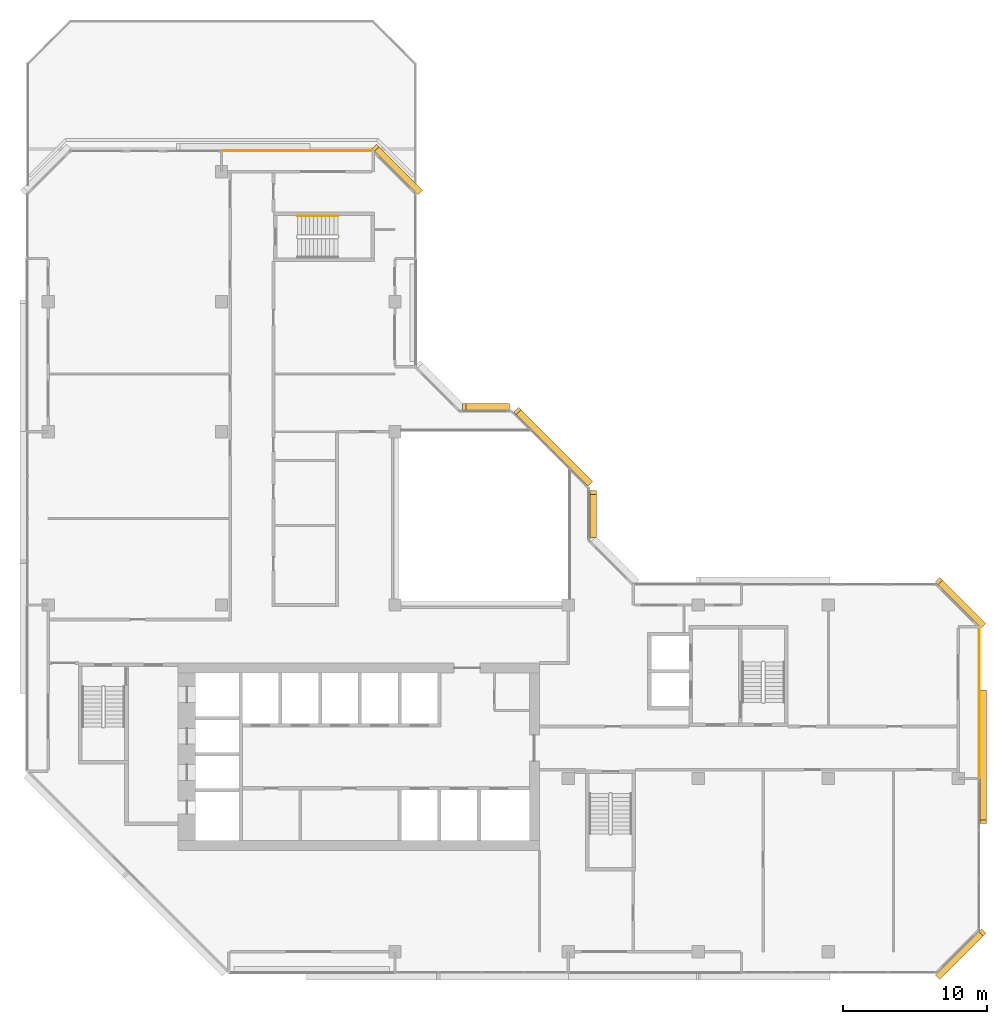
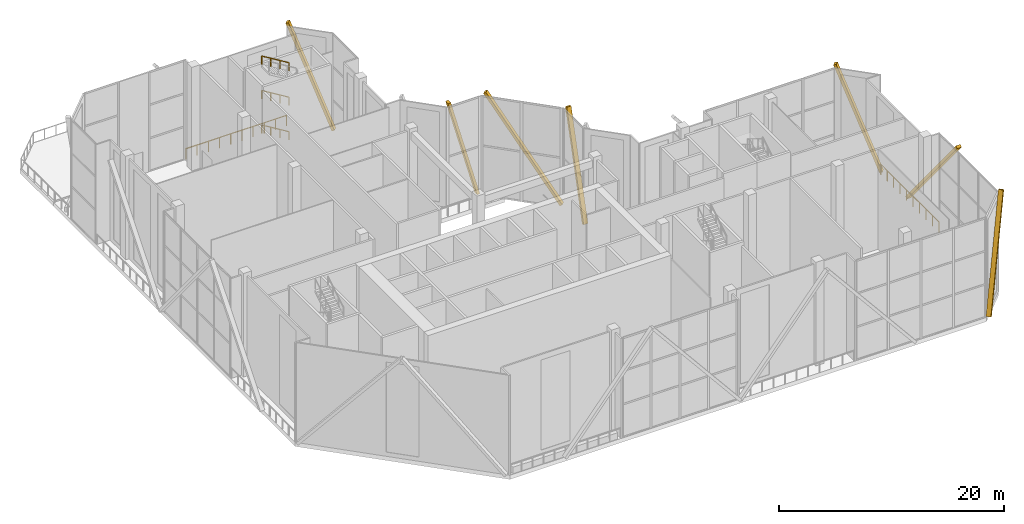
# One storey, part 18 of 18: 7 coverings, 5 railings.
"""IFC4 building model written with IfcOpenShell, lengths in metres."""

from ifc_helpers import new_model, si_unit, direction, frame, origin, origin_2d, place, context, subcontext, project, spatial, rectangle, extrude, material, material_profile, profile_set, type_object, element, save


model = new_model("IFC4")

# Units and contexts
model_context = context("Model", 3, precision=1e-05, world=origin(), true_north=direction((0.0, 1.0)))
body_context = subcontext(model_context, "Body", "Model", "MODEL_VIEW")
ifc_project = project(units=[si_unit("LENGTHUNIT", "METRE"), si_unit("AREAUNIT", "SQUARE_METRE"), si_unit("VOLUMEUNIT", "CUBIC_METRE"), si_unit("PLANEANGLEUNIT", "RADIAN"), si_unit("MASSUNIT", "GRAM", prefix="KILO")], contexts=[model_context])

# Site, building, storey
site_placement = place(None, origin())
site = spatial("IfcSite", under=ifc_project, at=site_placement, CompositionType="ELEMENT")
building_placement = place(site_placement, origin())
building = spatial("IfcBuilding", under=site, at=building_placement, Name="Chenar Terraces", CompositionType="ELEMENT")
storey_placement = place(building_placement, frame((0.0, 0.0, 262.14990234375)))
storey = spatial("IfcBuildingStorey", under=building, at=storey_placement, Name="L62", CompositionType="ELEMENT", Elevation=262.14990234375)

# Railings
ifc_material_1 = material(Name="Stainless steel and glass", Category="steel")
railing_type_1 = type_object("IfcRailingType", Name="Loggia guard 1150", PredefinedType="GUARDRAIL", material=ifc_material_1)
railing_1_placement = place(storey_placement, frame((64.449951171875, 12.074951171875, 0.0)))
element("IfcRailing", 1, at=railing_1_placement, inside=storey, type_object=railing_type_1, Name="Loggia guard", PredefinedType="GUARDRAIL", context=body_context, shape_type="SweptSolid", body=[
    extrude(rectangle(XDim=0.048095703125, YDim=0.048095703125, at=origin_2d()), frame((0.0, 0.0, 1.1259765625), z_axis=(0.0, 1.0, 0.0), x_axis=(-1.0, 0.0, 0.0)), (0.0, 0.0, 1.0), 10.35009765625),
    extrude(rectangle(XDim=0.0419921875, YDim=0.0419921875, at=origin_2d()), origin(), (0.0, 0.0, 1.0), 1.101806640625),
    extrude(rectangle(XDim=0.0419921875, YDim=0.0419921875, at=origin_2d()), frame((0.0, 1.14990234375, 0.0)), (0.0, 0.0, 1.0), 1.101806640625),
    extrude(rectangle(XDim=0.0419921875, YDim=0.0419921875, at=origin_2d()), frame((0.0, 2.300048828125, 0.0)), (0.0, 0.0, 1.0), 1.101806640625),
    extrude(rectangle(XDim=0.0419921875, YDim=0.0419921875, at=origin_2d()), frame((0.0, 3.449951171875, 0.0)), (0.0, 0.0, 1.0), 1.101806640625),
    extrude(rectangle(XDim=0.0419921875, YDim=0.0419921875, at=origin_2d()), frame((0.0, 4.60009765625, 0.0)), (0.0, 0.0, 1.0), 1.101806640625),
    extrude(rectangle(XDim=0.0419921875, YDim=0.0419921875, at=origin_2d()), frame((0.0, 5.75, 0.0)), (0.0, 0.0, 1.0), 1.101806640625),
    extrude(rectangle(XDim=0.0419921875, YDim=0.0419921875, at=origin_2d()), frame((0.0, 6.900146484375, 0.0)), (0.0, 0.0, 1.0), 1.101806640625),
    extrude(rectangle(XDim=0.0419921875, YDim=0.0419921875, at=origin_2d()), frame((0.0, 8.050048828125, 0.0)), (0.0, 0.0, 1.0), 1.101806640625),
    extrude(rectangle(XDim=0.0419921875, YDim=0.0419921875, at=origin_2d()), frame((0.0, 9.2001953125, 0.0)), (0.0, 0.0, 1.0), 1.101806640625),
    extrude(rectangle(XDim=0.0419921875, YDim=0.0419921875, at=origin_2d()), frame((0.0, 10.35009765625, 0.0)), (0.0, 0.0, 1.0), 1.101806640625),
])
railing_2_placement = place(storey_placement, frame((22.425048828125, 55.449951171875, 0.0)))
element("IfcRailing", 2, at=railing_2_placement, inside=storey, type_object=railing_type_1, Name="Loggia guard", PredefinedType="GUARDRAIL", context=body_context, shape_type="SweptSolid", body=[
    extrude(rectangle(XDim=0.048095703125, YDim=0.048095703125, at=origin_2d()), frame((0.0, 0.0, 1.1259765625), z_axis=(-1.0, 0.0, 0.0), x_axis=(0.0, -1.0, 0.0)), (0.0, 0.0, 1.0), 10.35009765625),
    extrude(rectangle(XDim=0.0419921875, YDim=0.0419921875, at=origin_2d()), origin(), (0.0, 0.0, 1.0), 1.101806640625),
    extrude(rectangle(XDim=0.0419921875, YDim=0.0419921875, at=origin_2d()), frame((-1.14990234375, 0.0, 0.0)), (0.0, 0.0, 1.0), 1.101806640625),
    extrude(rectangle(XDim=0.0419921875, YDim=0.0419921875, at=origin_2d()), frame((-2.300048828125, 0.0, 0.0)), (0.0, 0.0, 1.0), 1.101806640625),
    extrude(rectangle(XDim=0.0419921875, YDim=0.0419921875, at=origin_2d()), frame((-3.449951171875, 0.0, 0.0)), (0.0, 0.0, 1.0), 1.101806640625),
    extrude(rectangle(XDim=0.0419921875, YDim=0.0419921875, at=origin_2d()), frame((-4.60009765625, 0.0, 0.0)), (0.0, 0.0, 1.0), 1.101806640625),
    extrude(rectangle(XDim=0.0419921875, YDim=0.0419921875, at=origin_2d()), frame((-5.75, 0.0, 0.0)), (0.0, 0.0, 1.0), 1.101806640625),
    extrude(rectangle(XDim=0.0419921875, YDim=0.0419921875, at=origin_2d()), frame((-6.900146484375, 0.0, 0.0)), (0.0, 0.0, 1.0), 1.101806640625),
    extrude(rectangle(XDim=0.0419921875, YDim=0.0419921875, at=origin_2d()), frame((-8.050048828125, 0.0, 0.0)), (0.0, 0.0, 1.0), 1.101806640625),
    extrude(rectangle(XDim=0.0419921875, YDim=0.0419921875, at=origin_2d()), frame((-9.2001953125, 0.0, 0.0)), (0.0, 0.0, 1.0), 1.101806640625),
    extrude(rectangle(XDim=0.0419921875, YDim=0.0419921875, at=origin_2d()), frame((-10.35009765625, 0.0, 0.0)), (0.0, 0.0, 1.0), 1.101806640625),
])
ifc_material_2 = material(Name="Powder-coated steel", Category="steel")
railing_type_2 = type_object("IfcRailingType", Name="Stair handrail 900", PredefinedType="HANDRAIL", material=ifc_material_2)
for number, where, name in (
    (3, (20.050048828125, 50.925048828125, 2.045654296875), "L62 ST4 stair handrail 2"),
    (4, (20.050048828125, 50.925048828125, 5.795654296875), "L62 ST4 stair handrail 4"),
    (5, (20.050048828125, 50.925048828125, 9.545654296875), "L62 ST4 stair handrail 6"),
):
    element("IfcRailing", number, at=place(storey_placement, frame(where)), inside=storey, type_object=railing_type_2, Name=name, PredefinedType="HANDRAIL", context=body_context, shape_type="SweptSolid", body=[
        extrude(rectangle(XDim=0.048095703125, YDim=0.048095703125, at=origin_2d()), frame((0.0, 0.0, 0.8759765625), z_axis=(-0.854202870247, 0.0, 0.519939858505), x_axis=(0.0, -1.0, 0.0)), (0.0, 0.0, 1.0), 3.278076171875),
        extrude(rectangle(XDim=0.0419921875, YDim=0.0419921875, at=origin_2d()), origin(), (0.0, 0.0, 1.0), 0.851806640625),
        extrude(rectangle(XDim=0.0419921875, YDim=0.0419921875, at=origin_2d()), frame((-0.933349609375, 0.0, 0.568115234375)), (0.0, 0.0, 1.0), 0.851806640625),
        extrude(rectangle(XDim=0.0419921875, YDim=0.0419921875, at=origin_2d()), frame((-1.86669921875, 0.0, 1.13623046875)), (0.0, 0.0, 1.0), 0.851806640625),
        extrude(rectangle(XDim=0.0419921875, YDim=0.0419921875, at=origin_2d()), frame((-2.800048828125, 0.0, 1.704345703125)), (0.0, 0.0, 1.0), 0.851806640625),
    ])

# Coverings
ifc_material_3 = material(Name="Terracotta", Category="masonry")
ifc_material_profile = material_profile(ifc_material_3, rectangle(XDim=0.449951171875, YDim=0.280029296875, at=origin_2d()), Name="Terracotta baguette 450 x 280")
ifc_profile_set = profile_set([ifc_material_profile], Name="Terracotta")
covering_type = type_object("IfcCoveringType", Name="Terracotta baguette 450 x 280", PredefinedType="CLADDING", material=ifc_profile_set)
covering_1_placement = place(storey_placement, frame((37.72509765625, 28.800048828125, 0.150146484375), z_axis=(0.0, 0.26423624309, 0.964457986559), x_axis=(-1.0, 0.0, 0.0)))
element("IfcCovering", 6, at=covering_1_placement, inside=storey, type_object=covering_type, Name="Terracotta baguette", PredefinedType="CLADDING", context=body_context, shape_type="SweptSolid", body=[
    extrude(rectangle(XDim=0.449951171875, YDim=0.280029296875, at=origin_2d()), origin(), (0.0, 0.0, 1.0), 11.353515625),
])
covering_2_placement = place(storey_placement, frame((37.447021484375, 32.47119140625, 0.150146484375), z_axis=(-0.382282332253, 0.382282332253, 0.841261217991), x_axis=(-0.707106781187, -0.707106781187, 0.0)))
element("IfcCovering", 7, at=covering_2_placement, inside=storey, type_object=covering_type, Name="Terracotta baguette", PredefinedType="CLADDING", context=body_context, shape_type="SweptSolid", body=[
    extrude(rectangle(XDim=0.449951171875, YDim=0.280029296875, at=origin_2d()), origin(), (0.0, 0.0, 1.0), 13.01611328125),
])
covering_3_placement = place(storey_placement, frame((31.800048828125, 37.72509765625, 0.150146484375), z_axis=(-0.26423624309, 0.0, 0.964457986559), x_axis=(0.0, -1.0, 0.0)))
element("IfcCovering", 8, at=covering_3_placement, inside=storey, type_object=covering_type, Name="Terracotta baguette", PredefinedType="CLADDING", context=body_context, shape_type="SweptSolid", body=[
    extrude(rectangle(XDim=0.449951171875, YDim=0.280029296875, at=origin_2d()), origin(), (0.0, 0.0, 1.0), 11.353515625),
])
for number, where, z_axis, x_axis, name in (
    (9, (25.6591796875, 52.6591796875, 0.150146484375), (-0.255468212233, 0.255468212233, 0.932454816641), (-0.707106781187, -0.707106781187, 0.0), "Terracotta baguette"),
    (10, (61.6591796875, -1.6591796875, 0.150146484375), (0.255468212233, 0.255468212233, 0.932454816641), (-0.707106781187, 0.707106781187, 0.0), "Terracotta baguette"),
):
    element("IfcCovering", number, at=place(storey_placement, frame(where, z_axis=z_axis, x_axis=x_axis)), inside=storey, type_object=covering_type, Name=name, PredefinedType="CLADDING", context=body_context, shape_type="SweptSolid", body=[
        extrude(rectangle(XDim=0.449951171875, YDim=0.280029296875, at=origin_2d()), origin(), (0.0, 0.0, 1.0), 11.7431640625),
    ])
covering_4_placement = place(storey_placement, frame((64.72509765625, 9.0, 11.10009765625), z_axis=(0.0, 0.634966765532, -0.772539453148), x_axis=(-1.0, 0.0, 0.0)))
element("IfcCovering", 11, at=covering_4_placement, inside=storey, type_object=covering_type, Name="Terracotta baguette", PredefinedType="CLADDING", context=body_context, shape_type="SweptSolid", body=[
    extrude(rectangle(XDim=0.449951171875, YDim=0.280029296875, at=origin_2d()), origin(), (0.0, 0.0, 1.0), 14.174072265625),
])
covering_5_placement = place(storey_placement, frame((64.6591796875, 22.6591796875, 0.150146484375), z_axis=(-0.255468212233, 0.255468212233, 0.932454816641), x_axis=(-0.707106781187, -0.707106781187, 0.0)))
element("IfcCovering", 12, at=covering_5_placement, inside=storey, type_object=covering_type, Name="Terracotta baguette", PredefinedType="CLADDING", context=body_context, shape_type="SweptSolid", body=[
    extrude(rectangle(XDim=0.449951171875, YDim=0.280029296875, at=origin_2d()), origin(), (0.0, 0.0, 1.0), 11.7431640625),
])

save(model, "model.ifc")
